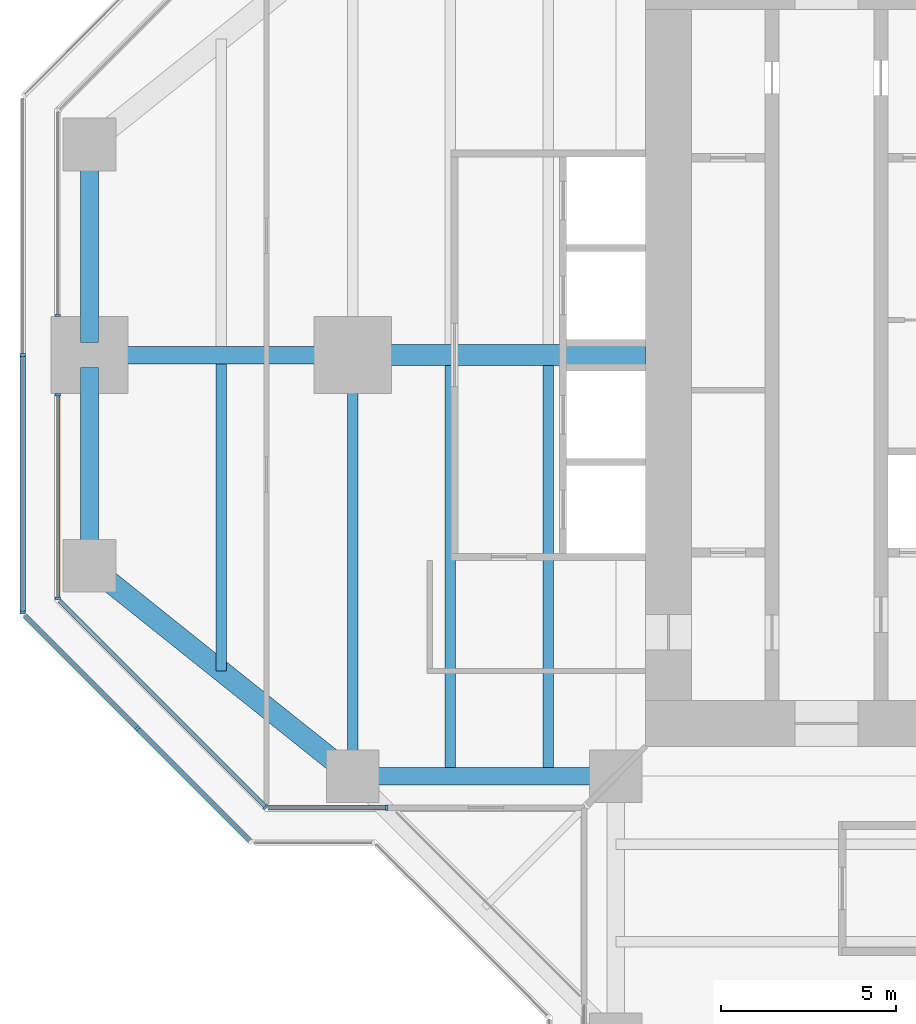
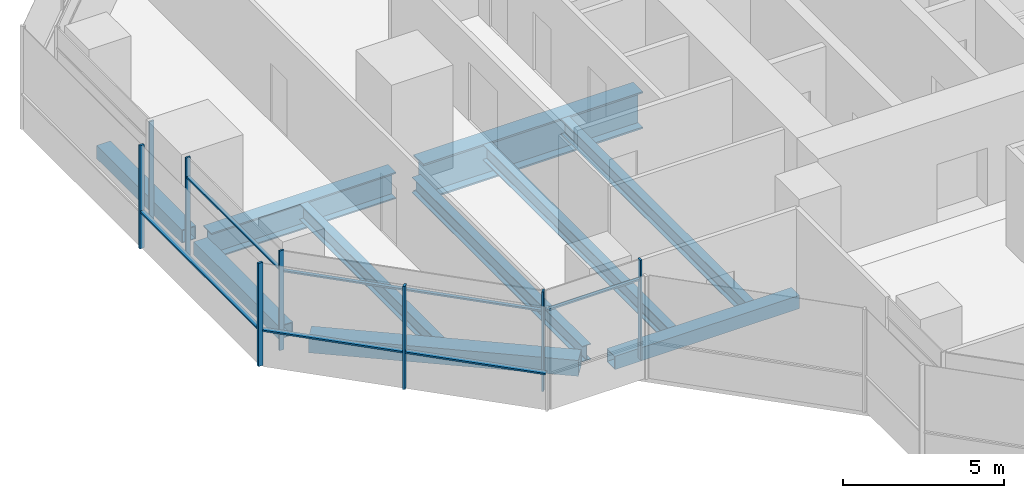
# One storey, part 3 of 17: 14 members, 10 beams, 6 elements without a shape of their own.
"""IFC4 building model written with IfcOpenShell, lengths in metres."""

import ifcopenshell
import ifcopenshell.guid

model = None  # the IFC model being written
_history = None  # IfcOwnerHistory: only IFC2X3 demands one
_inside = {}  # id of a spatial element -> (the spatial element, [elements in it])
_under = {}  # id of a project, library or spatial element -> (it, [spatial elements below it])
_declared = {}  # id of a project -> (the project, [libraries it declares])
_typed = {}  # id of a type object -> (the type object, [elements of that type])
_made_of = {}  # id of a material, layer set ... -> (it, [elements and type objects made of it])


def new_model(schema):
    """Start an empty IFC model of exactly this schema.

    Asked for "IFC4X3", IfcOpenShell would pick the latest addendum, in which some entities
    have other attributes; the version numbers below select the first issue.
    IFC2X3 requires an IfcOwnerHistory on every rooted entity: one is made here for all.
    """
    global model, _history
    if schema == "IFC4X3":
        model = ifcopenshell.file(schema_version=(4, 3, 0, 0))
    else:
        model = ifcopenshell.file(schema=schema)
    _inside.clear()
    _under.clear()
    _declared.clear()
    _typed.clear()
    _made_of.clear()
    _history = None
    if model.schema == "IFC2X3":
        org = make("IfcOrganization", Name="unknown")
        user = make(
            "IfcPersonAndOrganization",
            ThePerson=make("IfcPerson", FamilyName="unknown"),
            TheOrganization=org,
        )
        app = make(
            "IfcApplication",
            ApplicationDeveloper=org,
            Version="unknown",
            ApplicationFullName="unknown",
            ApplicationIdentifier="unknown",
        )
        _history = make(
            "IfcOwnerHistory",
            OwningUser=user,
            OwningApplication=app,
            ChangeAction="ADDED",
            CreationDate=0,
        )
    return model


def make(cls, **values):
    """One entity of the class cls with the attributes given. An attribute that is None is left unset."""
    return model.create_entity(
        cls, **{name: value for name, value in values.items() if value is not None}
    )


def rooted(cls, **values):
    """An entity with a GlobalId (a new one), such as an element, a storey or a relation."""
    return make(cls, GlobalId=ifcopenshell.guid.new(), OwnerHistory=_history, **values)


def si_unit(unit_type, name, prefix=None):
    """IfcSIUnit, for example si_unit("LENGTHUNIT", "METRE", prefix="MILLI")."""
    return make("IfcSIUnit", UnitType=unit_type, Prefix=prefix, Name=name)


def assignment(units):
    """IfcUnitAssignment: the units of a project."""
    return None if units is None else make("IfcUnitAssignment", Units=units)


def point(xyz):
    """IfcCartesianPoint."""
    return None if xyz is None else make("IfcCartesianPoint", Coordinates=xyz)


def direction(xyz):
    """IfcDirection."""
    return None if xyz is None else make("IfcDirection", DirectionRatios=xyz)


def frame(location, z_axis=None, x_axis=None):
    """IfcAxis2Placement3D, a coordinate frame: its origin and axes. An axis left out is left unset."""
    return make(
        "IfcAxis2Placement3D",
        Location=point(location),
        Axis=direction(z_axis),
        RefDirection=direction(x_axis),
    )


def frame_2d(location, x_axis=None):
    """IfcAxis2Placement2D, a coordinate frame in the plane: its origin and x axis."""
    return make(
        "IfcAxis2Placement2D", Location=point(location), RefDirection=direction(x_axis)
    )


def origin():
    """The frame at (0, 0, 0) with its axes left unset."""
    return frame((0.0, 0.0, 0.0))


def origin_2d():
    """The frame at (0, 0) in the plane with its x axis left unset."""
    return frame_2d((0.0, 0.0))


def place(relative_to, where):
    """IfcLocalPlacement: puts the frame where relative to a parent placement (None: the world)."""
    return make(
        "IfcLocalPlacement", PlacementRelTo=relative_to, RelativePlacement=where
    )


def context(
    kind, dimensions, precision=None, world=None, true_north=None, identifier=None
):
    """IfcGeometricRepresentationContext, for example the 3D "Model" context."""
    return make(
        "IfcGeometricRepresentationContext",
        ContextIdentifier=identifier,
        ContextType=kind,
        CoordinateSpaceDimension=dimensions,
        Precision=precision,
        WorldCoordinateSystem=world,
        TrueNorth=true_north,
    )


def subcontext(parent, identifier, kind, view, scale=None):
    """IfcGeometricRepresentationSubContext, for example "Body" below "Model"."""
    return make(
        "IfcGeometricRepresentationSubContext",
        ContextIdentifier=identifier,
        ContextType=kind,
        ParentContext=parent,
        TargetScale=scale,
        TargetView=view,
    )


def project(units=None, contexts=None):
    """IfcProject with its units and contexts."""
    return rooted(
        "IfcProject",
        Name="project",
        RepresentationContexts=contexts,
        UnitsInContext=assignment(units),
    )


def spatial(cls, under=None, at=None, **own):
    """A site, building, storey or space (cls), placed at a placement, below another one or the project."""
    s = rooted(cls, ObjectPlacement=at, **own)
    if under is not None:
        _under.setdefault(under.id(), (under, []))[1].append(s)
    return s


def profile(cls, at=None, kind="AREA", **sizes):
    """A parametric profile (cls). Its sizes go by their IFC names, for example OverallWidth=200.0."""
    return make(cls, ProfileType=kind, Position=at, **sizes)


def rectangle(**sizes):
    """IfcRectangleProfileDef."""
    return profile("IfcRectangleProfileDef", **sizes)


def hollow_rectangle(**sizes):
    """IfcRectangleHollowProfileDef."""
    return profile("IfcRectangleHollowProfileDef", **sizes)


def i_section(**sizes):
    """IfcIShapeProfileDef."""
    return profile("IfcIShapeProfileDef", **sizes)


def extrude(swept, where, along, depth):
    """IfcExtrudedAreaSolid: the profile swept, set in the frame where, extruded along a direction by depth."""
    return make(
        "IfcExtrudedAreaSolid",
        SweptArea=swept,
        Position=where,
        ExtrudedDirection=direction(along),
        Depth=depth,
    )


def shape(context_of_items, identifier, shape_type, items):
    """IfcShapeRepresentation: the items that make up one representation, for example the "Body"."""
    return make(
        "IfcShapeRepresentation",
        ContextOfItems=context_of_items,
        RepresentationIdentifier=identifier,
        RepresentationType=shape_type,
        Items=items,
    )


def material(Name=None, Category=None):
    """IfcMaterial."""
    return make("IfcMaterial", Name=Name, Category=Category)


def material_profile(
    of_material, cross_section, Name=None, Category=None, Priority=None
):
    """IfcMaterialProfile: a cross section and its material."""
    return make(
        "IfcMaterialProfile",
        Name=Name,
        Material=of_material,
        Profile=cross_section,
        Priority=Priority,
        Category=Category,
    )


def profile_set(profiles, Name=None, composite=None):
    """IfcMaterialProfileSet."""
    return make(
        "IfcMaterialProfileSet",
        Name=Name,
        MaterialProfiles=profiles,
        CompositeProfile=composite,
    )


def made_of(thing, what):
    """Note that an element or type object is made of a material, layer set ...; save() writes the relation."""
    if what is not None:
        _made_of.setdefault(what.id(), (what, []))[1].append(thing)
    return thing


def type_object(cls, material=None, **own):
    """A type object (cls), such as IfcWallType, which elements share."""
    return made_of(rooted(cls, **own), material)


def element(
    cls,
    number,
    at=None,
    inside=None,
    cuts=None,
    type_object=None,
    material=None,
    context=None,
    identifier="Body",
    shape_type=None,
    held_by="IfcProductDefinitionShape",
    body=None,
    shapes=None,
    **own,
):
    """One element of the class cls, such as IfcWall. Its Tag is "e" and its number.

    at: its placement. inside: the storey or other place that contains it. cuts: it is an
    opening in that element (IfcRelVoidsElement). A single representation is given by context,
    identifier, shape_type and body (its items); several are given by shapes. held_by: the class
    of the entity that holds the representations. save() writes the other relations.
    """
    e = rooted(cls, Tag="e%d" % number, ObjectPlacement=at, **own)
    if body is not None:
        shapes = [shape(context, identifier, shape_type, body)]
    if shapes is not None:
        e.Representation = make(held_by, Representations=shapes)
    if inside is not None:
        _inside.setdefault(inside.id(), (inside, []))[1].append(e)
    if cuts is not None:
        rooted(
            "IfcRelVoidsElement", RelatingBuildingElement=cuts, RelatedOpeningElement=e
        )
    if type_object is not None:
        _typed.setdefault(type_object.id(), (type_object, []))[1].append(e)
    return made_of(e, material)


def aggregate(whole, parts):
    """IfcRelAggregates: a whole, such as a stair, and the parts it consists of."""
    return rooted("IfcRelAggregates", RelatingObject=whole, RelatedObjects=parts)


def save(model, path):
    """Write the relations noted so far, then the file.

    IfcRelAggregates (storeys below a building ...), IfcRelContainedInSpatialStructure (elements
    in a storey), IfcRelDefinesByType, IfcRelAssociatesMaterial and IfcRelDeclares: one each for
    every whole, place, type object, material and project.
    """
    for whole, parts in _under.values():
        aggregate(whole, parts)
    for where, things in _inside.values():
        rooted(
            "IfcRelContainedInSpatialStructure",
            RelatedElements=things,
            RelatingStructure=where,
        )
    for kind, things in _typed.values():
        rooted("IfcRelDefinesByType", RelatedObjects=things, RelatingType=kind)
    for what, things in _made_of.values():
        rooted("IfcRelAssociatesMaterial", RelatedObjects=things, RelatingMaterial=what)
    for by, libraries in _declared.values():
        rooted("IfcRelDeclares", RelatingContext=by, RelatedDefinitions=libraries)
    model.write(path)


model = new_model("IFC4")

# Units and contexts
model_context = context("Model", 3, precision=1e-05, world=origin(), true_north=direction((0.0, 1.0)))
body_context = subcontext(model_context, "Body", "Model", "MODEL_VIEW")
ifc_project = project(units=[si_unit("LENGTHUNIT", "METRE"), si_unit("AREAUNIT", "SQUARE_METRE"), si_unit("VOLUMEUNIT", "CUBIC_METRE"), si_unit("PLANEANGLEUNIT", "RADIAN"), si_unit("MASSUNIT", "GRAM", prefix="KILO")], contexts=[model_context])

# Site, building, storey
site_placement = place(None, origin())
site = spatial("IfcSite", under=ifc_project, at=site_placement, CompositionType="ELEMENT")
building_placement = place(site_placement, origin())
building = spatial("IfcBuilding", under=site, at=building_placement, Name="Mizan Broadcast Tower", CompositionType="ELEMENT")
storey_placement = place(building_placement, frame((0.0, 0.0, 220.5)))
storey = spatial("IfcBuildingStorey", under=building, at=storey_placement, Name="L51", CompositionType="ELEMENT", Elevation=220.5)

# Beams
ifc_material_1 = material(Name="Steel S355", Category="steel")
ifc_material_profile_1 = material_profile(ifc_material_1, hollow_rectangle(XDim=0.5, YDim=0.5, WallThickness=0.030029296875, at=origin_2d()), Name="BOX 500x500x30")
ifc_profile_set_1 = profile_set([ifc_material_profile_1], Name="Steel S355")
beam_type_1 = type_object("IfcBeamType", Name="EDGE BEAM BOX 500x500x30", PredefinedType="SPANDREL", material=ifc_profile_set_1)
beam_1_placement = place(storey_placement, frame((-27.0, 5.639892578125, -0.3798828125), z_axis=(0.0, -1.0, 0.0), x_axis=(1.0, 0.0, 0.0)))
element("IfcBeam", 1, at=beam_1_placement, inside=storey, type_object=beam_type_1, Name="Edge beam BOX 500x500x30 L51 west arm", PredefinedType="SPANDREL", context=body_context, shape_type="SweptSolid", body=[
    extrude(hollow_rectangle(XDim=0.5, YDim=0.5, WallThickness=0.030029296875, at=origin_2d()), origin(), (0.0, 0.0, 1.0), 5.27978515625),
])
beam_2_placement = place(storey_placement, frame((-12.449951171875, -12.0, -0.3798828125), z_axis=(-1.0, 0.0, 0.0), x_axis=(0.0, -1.0, 0.0)))
element("IfcBeam", 2, at=beam_2_placement, inside=storey, type_object=beam_type_1, Name="Edge beam BOX 500x500x30 L51 west arm", PredefinedType="SPANDREL", context=body_context, shape_type="SweptSolid", body=[
    extrude(hollow_rectangle(XDim=0.5, YDim=0.5, WallThickness=0.030029296875, at=origin_2d()), origin(), (0.0, 0.0, 1.0), 6.60009765625),
])
beam_3_placement = place(storey_placement, frame((-27.0, -5.639892578125, -0.3798828125), z_axis=(0.0, 1.0, 0.0), x_axis=(-1.0, 0.0, 0.0)))
element("IfcBeam", 3, at=beam_3_placement, inside=storey, type_object=beam_type_1, Name="Edge beam BOX 500x500x30 L51 west arm", PredefinedType="SPANDREL", context=body_context, shape_type="SweptSolid", body=[
    extrude(hollow_rectangle(XDim=0.5, YDim=0.5, WallThickness=0.030029296875, at=origin_2d()), origin(), (0.0, 0.0, 1.0), 5.27978515625),
])
ifc_material_2 = material(Name="Steel S355", Category="steel")
ifc_material_profile_2 = material_profile(ifc_material_2, hollow_rectangle(XDim=0.60009765625, YDim=0.60009765625, WallThickness=0.030029296875, at=origin_2d()), Name="BOX 600x600x30")
ifc_profile_set_2 = profile_set([ifc_material_profile_2], Name="Steel S355")
beam_type_2 = type_object("IfcBeamType", Name="EDGE BEAM BOX 600x600x30", PredefinedType="SPANDREL", material=ifc_profile_set_2)
beam_4_placement = place(storey_placement, frame((-19.949951171875, -11.639892578125, -0.429931640625), z_axis=(-0.780885717636, 0.624673911726, 0.0), x_axis=(-0.624673911726, -0.780885717636, 0.0)))
element("IfcBeam", 4, at=beam_4_placement, inside=storey, type_object=beam_type_2, Name="Edge beam BOX 600x600x30 L51 west arm", PredefinedType="SPANDREL", context=body_context, shape_type="SweptSolid", body=[
    extrude(hollow_rectangle(XDim=0.60009765625, YDim=0.60009765625, WallThickness=0.030029296875, at=origin_2d()), origin(), (0.0, 0.0, 1.0), 8.4521484375),
])
ifc_material_3 = material(Name="Steel S355", Category="steel")
ifc_material_profile_3 = material_profile(ifc_material_3, i_section(OverallWidth=0.300048828125, OverallDepth=0.590087890625, WebThickness=0.012939453125, FlangeThickness=0.02490234375, FilletRadius=0.027099609375, at=origin_2d()), Name="HEA 600")
ifc_profile_set_3 = profile_set([ifc_material_profile_3], Name="Steel S355")
beam_type_3 = type_object("IfcBeamType", Name="GIRDER HEA 600", PredefinedType="BEAM", material=ifc_profile_set_3)
beam_5_placement = place(storey_placement, frame((-19.5, -11.280029296875, -0.425048828125), z_axis=(0.0, 1.0, 0.0), x_axis=(-1.0, 0.0, 0.0)))
element("IfcBeam", 5, at=beam_5_placement, inside=storey, type_object=beam_type_3, Name="Girder HEA 600 L51 west arm", PredefinedType="BEAM", context=body_context, shape_type="SweptSolid", body=[
    extrude(i_section(OverallWidth=0.300048828125, OverallDepth=0.590087890625, WebThickness=0.012939453125, FlangeThickness=0.02490234375, FilletRadius=0.027099609375, at=origin_2d()), origin(), (0.0, 0.0, 1.0), 10.56005859375),
])
ifc_material_4 = material(Name="Steel S460", Category="steel")
ifc_material_profile_4 = material_profile(ifc_material_4, i_section(OverallWidth=0.5, OverallDepth=1.0, WebThickness=0.02490234375, FlangeThickness=0.050048828125, at=origin_2d()), Name="WPG 1000x500")
ifc_profile_set_4 = profile_set([ifc_material_profile_4], Name="Steel S460")
beam_type_4 = type_object("IfcBeamType", Name="GIRDER WPG 1000x500", PredefinedType="BEAM", material=ifc_profile_set_4)
beam_6_placement = place(storey_placement, frame((-19.949951171875, 0.0, -0.6298828125), z_axis=(-1.0, 0.0, 0.0), x_axis=(0.0, -1.0, 0.0)))
element("IfcBeam", 6, at=beam_6_placement, inside=storey, type_object=beam_type_4, Name="Girder WPG 1000x500 L51 west arm", PredefinedType="BEAM", context=body_context, shape_type="SweptSolid", body=[
    extrude(i_section(OverallWidth=0.5, OverallDepth=1.0, WebThickness=0.02490234375, FlangeThickness=0.050048828125, at=origin_2d()), origin(), (0.0, 0.0, 1.0), 6.60009765625),
])
ifc_material_5 = material(Name="Steel S460", Category="steel")
ifc_material_profile_5 = material_profile(ifc_material_5, i_section(OverallWidth=0.60009765625, OverallDepth=1.39990234375, WebThickness=0.02490234375, FlangeThickness=0.06005859375, at=origin_2d()), Name="WPG 1400x600")
ifc_profile_set_5 = profile_set([ifc_material_profile_5], Name="Steel S460")
beam_type_5 = type_object("IfcBeamType", Name="GIRDER WPG 1400x600", PredefinedType="BEAM", material=ifc_profile_set_5)
beam_7_placement = place(storey_placement, frame((-11.14990234375, 0.0, -0.830078125), z_axis=(-1.0, 0.0, 0.0), x_axis=(0.0, -1.0, 0.0)))
element("IfcBeam", 7, at=beam_7_placement, inside=storey, type_object=beam_type_5, Name="Girder WPG 1400x600 L51 west arm", PredefinedType="BEAM", context=body_context, shape_type="SweptSolid", body=[
    extrude(i_section(OverallWidth=0.60009765625, OverallDepth=1.39990234375, WebThickness=0.02490234375, FlangeThickness=0.06005859375, at=origin_2d()), origin(), (0.0, 0.0, 1.0), 7.84912109375),
])

# Curtain wall, member
ifc_material_6 = material(Name="Aluminium framed glazing", Category="aluminium")
curtain_wall_type_1 = type_object("IfcCurtainWallType", Name="INNER SKIN HIGH ZONE", PredefinedType="USERDEFINED", material=ifc_material_6)
curtain_wall_1_placement = place(storey_placement, origin())
curtain_wall_1 = element("IfcCurtainWall", 8, at=curtain_wall_1_placement, inside=storey, type_object=curtain_wall_type_1, Name="Inner skin high zone L51 W end", ObjectType="INNER SKIN HIGH ZONE", PredefinedType="USERDEFINED")
ifc_material_7 = material(Name="Aluminium, pale anodised", Category="aluminium")
ifc_material_profile_6 = material_profile(ifc_material_7, rectangle(XDim=0.159912109375, YDim=0.06005859375, at=origin_2d()), Name="MULLION 160x60")
ifc_profile_set_6 = profile_set([ifc_material_profile_6], Name="Aluminium, pale anodised")
member_type_1 = type_object("IfcMemberType", Name="INNER SKIN MULLION 60x160", PredefinedType="MULLION", material=ifc_profile_set_6)
member_1_placement = place(storey_placement, frame((-27.89990234375, 1.1298828125, 0.0), z_axis=(0.0, 0.0, 1.0), x_axis=(1.0, 0.0, 0.0)))
member_1 = element("IfcMember", 9, at=member_1_placement, type_object=member_type_1, Name="Inner skin high zone L51 W end mullion 2", PredefinedType="MULLION", context=body_context, shape_type="SweptSolid", body=[
    extrude(rectangle(XDim=0.159912109375, YDim=0.06005859375, at=origin_2d()), origin(), (0.0, 0.0, 1.0), 3.77001953125),
])
aggregate(curtain_wall_1, [member_1])

# Curtain wall, members
curtain_wall_2_placement = place(storey_placement, origin())
curtain_wall_2 = element("IfcCurtainWall", 10, at=curtain_wall_2_placement, inside=storey, type_object=curtain_wall_type_1, Name="Inner skin high zone L51 W end", ObjectType="INNER SKIN HIGH ZONE", PredefinedType="USERDEFINED")
member_2_placement = place(storey_placement, frame((-27.89990234375, -1.1298828125, 0.0), z_axis=(0.0, 0.0, 1.0), x_axis=(1.0, 0.0, 0.0)))
member_2 = element("IfcMember", 11, at=member_2_placement, type_object=member_type_1, Name="Inner skin high zone L51 W end mullion 1", PredefinedType="MULLION", context=body_context, shape_type="SweptSolid", body=[
    extrude(rectangle(XDim=0.159912109375, YDim=0.06005859375, at=origin_2d()), origin(), (0.0, 0.0, 1.0), 3.77001953125),
])
member_3_placement = place(storey_placement, frame((-27.89990234375, -6.928466796875, 0.0), z_axis=(0.0, 0.0, 1.0), x_axis=(1.0, 0.0, 0.0)))
member_3 = element("IfcMember", 12, at=member_3_placement, type_object=member_type_1, Name="Inner skin high zone L51 W end mullion 2", PredefinedType="MULLION", context=body_context, shape_type="SweptSolid", body=[
    extrude(rectangle(XDim=0.159912109375, YDim=0.06005859375, at=origin_2d()), origin(), (0.0, 0.0, 1.0), 3.77001953125),
])

# Curtain wall, member
curtain_wall_3_placement = place(storey_placement, origin())
curtain_wall_3 = element("IfcCurtainWall", 13, at=curtain_wall_3_placement, inside=storey, type_object=curtain_wall_type_1, Name="Inner skin high zone L51 W chamfer", ObjectType="INNER SKIN HIGH ZONE", PredefinedType="USERDEFINED")
member_4_placement = place(storey_placement, frame((-21.979736328125, -12.87890625, 0.0), z_axis=(0.0, 0.0, 1.0), x_axis=(0.707106781187, 0.707106781187, 0.0)))
member_4 = element("IfcMember", 14, at=member_4_placement, type_object=member_type_1, Name="Inner skin high zone L51 W chamfer mullion 2", PredefinedType="MULLION", context=body_context, shape_type="SweptSolid", body=[
    extrude(rectangle(XDim=0.159912109375, YDim=0.06005859375, at=origin_2d()), origin(), (0.0, 0.0, 1.0), 3.77001953125),
])

curtain_wall_4_placement = place(storey_placement, origin())
curtain_wall_4 = element("IfcCurtainWall", 15, at=curtain_wall_4_placement, inside=storey, type_object=curtain_wall_type_1, Name="Inner skin high zone L51 W side", ObjectType="INNER SKIN HIGH ZONE", PredefinedType="USERDEFINED")
member_5_placement = place(storey_placement, frame((-18.530029296875, -12.89990234375, 0.0), z_axis=(0.0, 0.0, 1.0), x_axis=(0.0, 1.0, 0.0)))
member_5 = element("IfcMember", 16, at=member_5_placement, type_object=member_type_1, Name="Inner skin high zone L51 W side mullion 2", PredefinedType="MULLION", context=body_context, shape_type="SweptSolid", body=[
    extrude(rectangle(XDim=0.159912109375, YDim=0.06005859375, at=origin_2d()), origin(), (0.0, 0.0, 1.0), 3.77001953125),
])

# Member
ifc_material_8 = material(Name="Aluminium, pale anodised", Category="aluminium")
ifc_material_profile_7 = material_profile(ifc_material_8, rectangle(XDim=0.1201171875, YDim=0.06005859375, at=origin_2d()), Name="TRANSOM 120x60")
ifc_profile_set_7 = profile_set([ifc_material_profile_7], Name="Aluminium, pale anodised")
member_type_2 = type_object("IfcMemberType", Name="INNER SKIN TRANSOM 60x120", PredefinedType="USERDEFINED", material=ifc_profile_set_7)
member_6_placement = place(storey_placement, frame((-27.89990234375, -1.159912109375, 3.030029296875), z_axis=(0.0, -1.0, 0.0), x_axis=(1.0, 0.0, 0.0)))
member_6 = element("IfcMember", 17, at=member_6_placement, type_object=member_type_2, Name="Inner skin high zone L51 W end transom 1.1", ObjectType="TRANSOM", PredefinedType="USERDEFINED", context=body_context, shape_type="SweptSolid", body=[
    extrude(rectangle(XDim=0.1201171875, YDim=0.06005859375, at=origin_2d()), origin(), (0.0, 0.0, 1.0), 5.73876953125),
])

aggregate(curtain_wall_2, [member_2, member_3, member_6])

member_7_placement = place(storey_placement, frame((-27.857666015625, -7.0009765625, 3.030029296875), z_axis=(0.707106781187, -0.707106781187, 0.0), x_axis=(0.707106781187, 0.707106781187, 0.0)))
member_7 = element("IfcMember", 18, at=member_7_placement, type_object=member_type_2, Name="Inner skin high zone L51 W chamfer transom 1.1", ObjectType="TRANSOM", PredefinedType="USERDEFINED", context=body_context, shape_type="SweptSolid", body=[
    extrude(rectangle(XDim=0.1201171875, YDim=0.06005859375, at=origin_2d()), origin(), (0.0, 0.0, 1.0), 8.28271484375),
])

aggregate(curtain_wall_3, [member_4, member_7])

member_8_placement = place(storey_placement, frame((-21.898681640625, -12.89990234375, 3.030029296875), z_axis=(1.0, 0.0, 0.0), x_axis=(0.0, 1.0, 0.0)))
member_8 = element("IfcMember", 19, at=member_8_placement, type_object=member_type_2, Name="Inner skin high zone L51 W side transom 1.1", ObjectType="TRANSOM", PredefinedType="USERDEFINED", context=body_context, shape_type="SweptSolid", body=[
    extrude(rectangle(XDim=0.1201171875, YDim=0.06005859375, at=origin_2d()), origin(), (0.0, 0.0, 1.0), 3.338623046875),
])

aggregate(curtain_wall_4, [member_5, member_8])

# Curtain wall, members
ifc_material_9 = material(Name="Aluminium framed glazing", Category="aluminium")
curtain_wall_type_2 = type_object("IfcCurtainWallType", Name="OUTER SKIN", PredefinedType="USERDEFINED", material=ifc_material_9)
curtain_wall_5_placement = place(storey_placement, origin())
curtain_wall_5 = element("IfcCurtainWall", 20, at=curtain_wall_5_placement, inside=storey, type_object=curtain_wall_type_2, Name="Outer skin L51 W end", ObjectType="OUTER SKIN", PredefinedType="USERDEFINED")
ifc_material_10 = material(Name="Aluminium, pale anodised", Category="aluminium")
ifc_material_profile_8 = material_profile(ifc_material_10, rectangle(XDim=0.159912109375, YDim=0.080078125, at=origin_2d()), Name="MULLION 160x80")
ifc_profile_set_8 = profile_set([ifc_material_profile_8], Name="Aluminium, pale anodised")
member_type_3 = type_object("IfcMemberType", Name="OUTER SKIN MULLION 80x160", PredefinedType="MULLION", material=ifc_profile_set_8)
member_9_placement = place(storey_placement, frame((-28.89990234375, 0.0, 0.0), z_axis=(0.0, 0.0, 1.0), x_axis=(1.0, 0.0, 0.0)))
member_9 = element("IfcMember", 21, at=member_9_placement, type_object=member_type_3, Name="Outer skin L51 W end mullion 2", PredefinedType="MULLION", context=body_context, shape_type="SweptSolid", body=[
    extrude(rectangle(XDim=0.159912109375, YDim=0.080078125, at=origin_2d()), origin(), (0.0, 0.0, 1.0), 3.89990234375),
])
member_10_placement = place(storey_placement, frame((-28.89990234375, -7.332763671875, 0.0), z_axis=(0.0, 0.0, 1.0), x_axis=(1.0, 0.0, 0.0)))
member_10 = element("IfcMember", 22, at=member_10_placement, type_object=member_type_3, Name="Outer skin L51 W end mullion 3", PredefinedType="MULLION", context=body_context, shape_type="SweptSolid", body=[
    extrude(rectangle(XDim=0.159912109375, YDim=0.080078125, at=origin_2d()), origin(), (0.0, 0.0, 1.0), 3.89990234375),
])

# Curtain wall, member
curtain_wall_6_placement = place(storey_placement, origin())
curtain_wall_6 = element("IfcCurtainWall", 23, at=curtain_wall_6_placement, inside=storey, type_object=curtain_wall_type_2, Name="Outer skin L51 W chamfer", ObjectType="OUTER SKIN", PredefinedType="USERDEFINED")
member_11_placement = place(storey_placement, frame((-25.636474609375, -10.636474609375, 0.0), z_axis=(0.0, 0.0, 1.0), x_axis=(0.707106781187, 0.707106781187, 0.0)))
member_11 = element("IfcMember", 24, at=member_11_placement, type_object=member_type_3, Name="Outer skin L51 W chamfer mullion 2", PredefinedType="MULLION", context=body_context, shape_type="SweptSolid", body=[
    extrude(rectangle(XDim=0.159912109375, YDim=0.080078125, at=origin_2d()), origin(), (0.0, 0.0, 1.0), 3.89990234375),
])

# Member
ifc_material_11 = material(Name="Aluminium, pale anodised", Category="aluminium")
ifc_material_profile_9 = material_profile(ifc_material_11, rectangle(XDim=0.159912109375, YDim=0.06005859375, at=origin_2d()), Name="TRANSOM 160x60")
ifc_profile_set_9 = profile_set([ifc_material_profile_9], Name="Aluminium, pale anodised")
member_type_4 = type_object("IfcMemberType", Name="OUTER SKIN TRANSOM 60x160", PredefinedType="USERDEFINED", material=ifc_profile_set_9)
member_12_placement = place(storey_placement, frame((-28.89990234375, -0.0400390625, 1.39990234375), z_axis=(0.0, -1.0, 0.0), x_axis=(1.0, 0.0, 0.0)))
member_12 = element("IfcMember", 25, at=member_12_placement, type_object=member_type_4, Name="Outer skin L51 W end transom 2.1", ObjectType="TRANSOM", PredefinedType="USERDEFINED", context=body_context, shape_type="SweptSolid", body=[
    extrude(rectangle(XDim=0.159912109375, YDim=0.06005859375, at=origin_2d()), origin(), (0.0, 0.0, 1.0), 7.252685546875),
])

aggregate(curtain_wall_5, [member_9, member_10, member_12])

member_13_placement = place(storey_placement, frame((-28.843505859375, -7.429443359375, 1.39990234375), z_axis=(0.707106781187, -0.707106781187, 0.0), x_axis=(0.707106781187, 0.707106781187, 0.0)))
member_13 = element("IfcMember", 26, at=member_13_placement, type_object=member_type_4, Name="Outer skin L51 W chamfer transom 1.1", ObjectType="TRANSOM", PredefinedType="USERDEFINED", context=body_context, shape_type="SweptSolid", body=[
    extrude(rectangle(XDim=0.159912109375, YDim=0.06005859375, at=origin_2d()), origin(), (0.0, 0.0, 1.0), 4.495361328125),
])

member_14_placement = place(storey_placement, frame((-25.608154296875, -10.664794921875, 1.39990234375), z_axis=(0.707106781187, -0.707106781187, 0.0), x_axis=(0.707106781187, 0.707106781187, 0.0)))
member_14 = element("IfcMember", 27, at=member_14_placement, type_object=member_type_4, Name="Outer skin L51 W chamfer transom 2.1", ObjectType="TRANSOM", PredefinedType="USERDEFINED", context=body_context, shape_type="SweptSolid", body=[
    extrude(rectangle(XDim=0.159912109375, YDim=0.06005859375, at=origin_2d()), origin(), (0.0, 0.0, 1.0), 4.495361328125),
])

aggregate(curtain_wall_6, [member_11, member_13, member_14])

# Beams
ifc_material_12 = material(Name="Steel S355", Category="steel")
ifc_material_profile_10 = material_profile(ifc_material_12, i_section(OverallWidth=0.300048828125, OverallDepth=0.590087890625, WebThickness=0.012939453125, FlangeThickness=0.02490234375, FilletRadius=0.027099609375, at=origin_2d()), Name="HEA 600")
ifc_profile_set_10 = profile_set([ifc_material_profile_10], Name="Steel S355")
beam_type_6 = type_object("IfcBeamType", Name="SECONDARY BEAM HEA 600", PredefinedType="JOIST", material=ifc_profile_set_10)
for number, where, z_axis, x_axis, name in (
    (28, (-13.933349609375, -12.0, -0.425048828125), (0.0, 1.0, 0.0), (-1.0, 0.0, 0.0), "Secondary beam HEA 600 L51 west arm"),
    (29, (-16.716552734375, -12.0, -0.425048828125), (0.0, 1.0, 0.0), (-1.0, 0.0, 0.0), "Secondary beam HEA 600 L51 west arm"),
):
    element("IfcBeam", number, at=place(storey_placement, frame(where, z_axis=z_axis, x_axis=x_axis)), inside=storey, type_object=beam_type_6, Name=name, PredefinedType="JOIST", context=body_context, shape_type="SweptSolid", body=[
        extrude(i_section(OverallWidth=0.300048828125, OverallDepth=0.590087890625, WebThickness=0.012939453125, FlangeThickness=0.02490234375, FilletRadius=0.027099609375, at=origin_2d()), origin(), (0.0, 0.0, 1.0), 11.699951171875),
    ])
beam_8_placement = place(storey_placement, frame((-23.25, -9.0, -0.425048828125), z_axis=(0.0, 1.0, 0.0), x_axis=(-1.0, 0.0, 0.0)))
element("IfcBeam", 30, at=beam_8_placement, inside=storey, type_object=beam_type_6, Name="Secondary beam HEA 600 L51 west arm", PredefinedType="JOIST", context=body_context, shape_type="SweptSolid", body=[
    extrude(i_section(OverallWidth=0.300048828125, OverallDepth=0.590087890625, WebThickness=0.012939453125, FlangeThickness=0.02490234375, FilletRadius=0.027099609375, at=origin_2d()), origin(), (0.0, 0.0, 1.0), 8.75),
])

save(model, "model.ifc")
